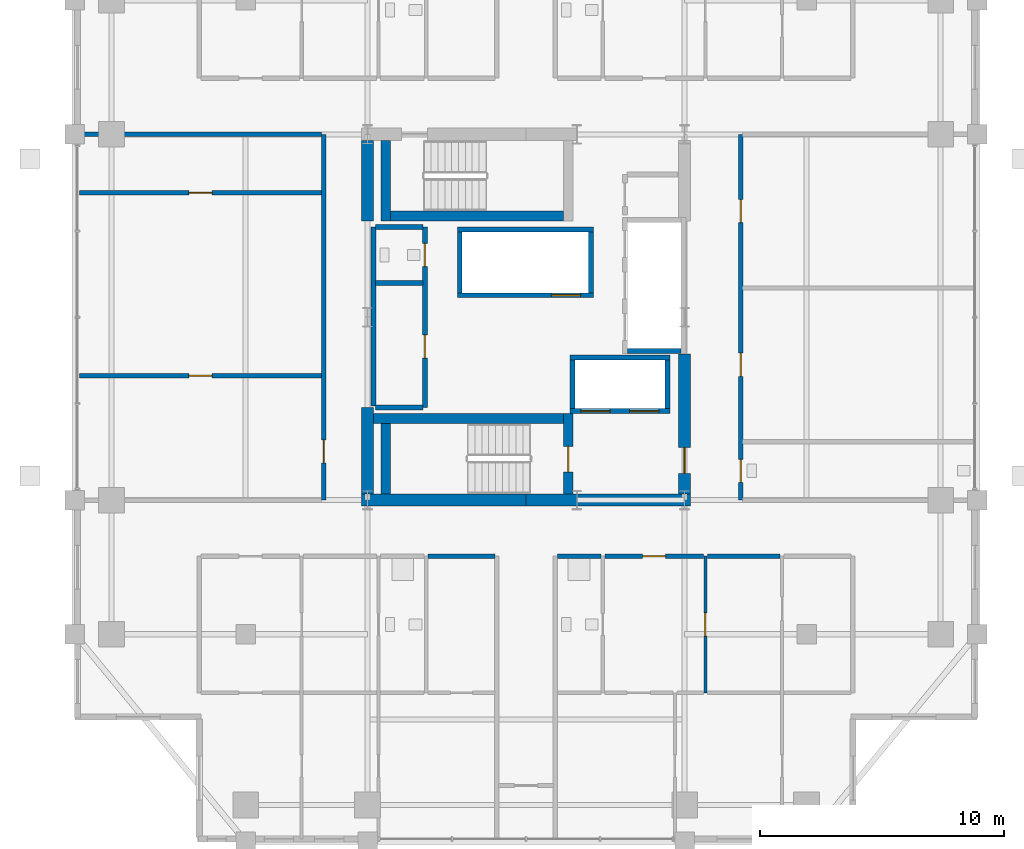
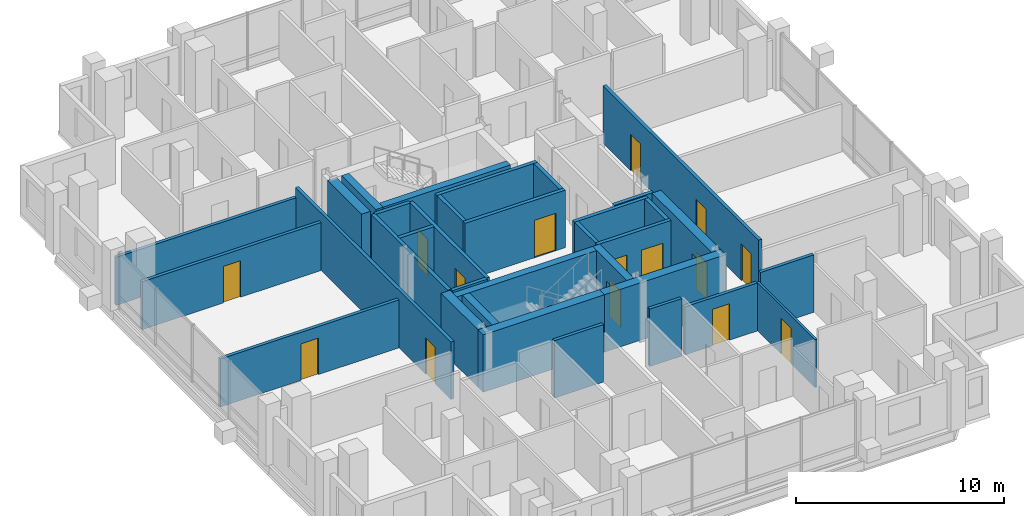
# One storey, part 19 of 24: 34 walls, 15 doors, 15 openings.
"""IFC4 building model written with IfcOpenShell, lengths in metres."""

from ifc_helpers import new_model, si_unit, direction, frame, frame_2d, origin, place, context, subcontext, project, spatial, rectangle, extrude, material, layer, layer_set, type_object, element, fill, save


model = new_model("IFC4")

# Units and contexts
model_context = context("Model", 3, precision=1e-05, world=origin(), true_north=direction((0.0, 1.0)))
body_context = subcontext(model_context, "Body", "Model", "MODEL_VIEW")
ifc_project = project(units=[si_unit("LENGTHUNIT", "METRE"), si_unit("AREAUNIT", "SQUARE_METRE"), si_unit("VOLUMEUNIT", "CUBIC_METRE"), si_unit("PLANEANGLEUNIT", "RADIAN"), si_unit("MASSUNIT", "GRAM", prefix="KILO")], contexts=[model_context])

# Site, building, storey
site_placement = place(None, origin())
site = spatial("IfcSite", under=ifc_project, at=site_placement, CompositionType="ELEMENT")
building_placement = place(site_placement, origin())
building = spatial("IfcBuilding", under=site, at=building_placement, Name="Barlavira Tower and Art Museum", CompositionType="ELEMENT")
storey_placement = place(building_placement, frame((0.0, 0.0, 201.60009765625)))
storey = spatial("IfcBuildingStorey", under=building, at=storey_placement, Name="L52", CompositionType="ELEMENT", Elevation=201.60009765625)

# Wall, opening, door
ifc_material_1 = material(Name="Gypsum acoustic stud partition", Category="gypsum")
ifc_layer_1 = layer(ifc_material_1, 0.1201171875, Name="Gypsum acoustic stud partition")
ifc_layer_set_1 = layer_set([ifc_layer_1], Name="Gypsum acoustic stud partition")
wall_type_1 = type_object("IfcWallType", Name="Apartment Internal Acoustic Partition 120", PredefinedType="PARTITIONING", material=ifc_layer_set_1)
wall_1_placement = place(storey_placement, frame((7.35009765625, -15.39990234375, 0.0), z_axis=(0.0, 0.0, 1.0), x_axis=(0.0, 1.0, 0.0)))
wall_1 = element("IfcWall", 1, at=wall_1_placement, inside=storey, type_object=wall_type_1, Name="L52 Partition Wall 21", PredefinedType="PARTITIONING", context=body_context, shape_type="SweptSolid", body=[
    extrude(rectangle(XDim=5.599853515625, YDim=0.1201171875, at=frame_2d((2.7998046875, 0.0))), origin(), (0.0, 0.0, 1.0), 2.825927734375),
])
opening_1_placement = place(wall_1_placement, frame((2.324951171875, 0.0, 0.0)))
opening_1 = element("IfcOpeningElement", 2, at=opening_1_placement, cuts=wall_1, Name="Opening D-02", PredefinedType="OPENING", context=body_context, shape_type="SweptSolid", body=[
    extrude(rectangle(XDim=0.949951171875, YDim=2.10009765625, at=frame_2d((0.47509765625, 1.050048828125))), frame((0.0, 0.070068359375, 0.0), z_axis=(0.0, -1.0, 0.0), x_axis=(1.0, 0.0, 0.0)), (0.0, 0.0, 1.0), 0.14013671875),
])
ifc_material_2 = material(Name="Engineered coastal hardwood", Category="wood")
door_type_1 = type_object("IfcDoorType", Name="Living and Salon Glazed-Leaf Door 950x2100", OperationType="NOTDEFINED", PredefinedType="DOOR", material=ifc_material_2)
door_1_placement = place(opening_1_placement, origin())
door_1 = element("IfcDoor", 3, at=door_1_placement, inside=storey, type_object=door_type_1, Name="Apartment SE1 Kitchen Door", OperationType="SINGLE_SWING_LEFT", OverallHeight=2.10009765625, OverallWidth=0.949951171875, PredefinedType="DOOR", context=body_context, shape_type="SweptSolid", body=[
    extrude(rectangle(XDim=0.949951171875, YDim=2.10009765625, at=frame_2d((0.47509765625, 1.050048828125))), frame((0.0, 0.02490234375, 0.0), z_axis=(0.0, -1.0, 0.0), x_axis=(1.0, 0.0, 0.0)), (0.0, 0.0, 1.0), 0.050048828125),
])
fill(opening_1, door_1)

# Walls
ifc_material_3 = material(Name="Concrete C60", Category="concrete")
ifc_layer_2 = layer(ifc_material_3, 0.5, Name="Concrete C60")
ifc_layer_set_2 = layer_set([ifc_layer_2], Name="Concrete C60")
wall_type_2 = type_object("IfcWallType", Name="Core Structural Shear Wall 500 Concrete C60", PredefinedType="SHEAR", material=ifc_layer_set_2)
for number, where, z_axis, x_axis, name in (
    (4, (-6.75, -7.5, 0.0), (0.0, 0.0, 1.0), (1.0, 0.0, 0.0), "L52 Core Shear Wall CS-SW"),
    (5, (0.0, -7.5, 0.0), (0.0, 0.0, 1.0), (1.0, 0.0, 0.0), "L52 Core Shear Wall CS-SE"),
):
    element("IfcWall", number, at=place(storey_placement, frame(where, z_axis=z_axis, x_axis=x_axis)), inside=storey, type_object=wall_type_2, Name=name, PredefinedType="SHEAR", context=body_context, shape_type="SweptSolid", body=[
        extrude(rectangle(XDim=6.75, YDim=0.5, at=frame_2d((3.375, 0.0))), origin(), (0.0, 0.0, 1.0), 3.3798828125),
    ])
wall_2_placement = place(storey_placement, frame((-6.5, -7.25, 0.0), z_axis=(0.0, 0.0, 1.0), x_axis=(0.0, 1.0, 0.0)))
element("IfcWall", 6, at=wall_2_placement, inside=storey, type_object=wall_type_2, Name="L52 Core Shear Wall CS-W1", PredefinedType="SHEAR", context=body_context, shape_type="SweptSolid", body=[
    extrude(rectangle(XDim=3.550048828125, YDim=0.5, at=frame_2d((1.77490234375, 0.0))), origin(), (0.0, 0.0, 1.0), 3.3798828125),
])
wall_3_placement = place(storey_placement, frame((-6.5, 3.949951171875, 0.0), z_axis=(0.0, 0.0, 1.0), x_axis=(0.0, 1.0, 0.0)))
element("IfcWall", 7, at=wall_3_placement, inside=storey, type_object=wall_type_2, Name="L52 Core Shear Wall CS-W2", PredefinedType="SHEAR", context=body_context, shape_type="SweptSolid", body=[
    extrude(rectangle(XDim=3.300048828125, YDim=0.5, at=frame_2d((1.64990234375, 0.0))), origin(), (0.0, 0.0, 1.0), 3.3798828125),
])

# Wall, opening, door
wall_4_placement = place(storey_placement, frame((6.5, -7.25, 0.0), z_axis=(0.0, 0.0, 1.0), x_axis=(0.0, 1.0, 0.0)))
wall_4 = element("IfcWall", 8, at=wall_4_placement, inside=storey, type_object=wall_type_2, Name="L52 Core Shear Wall CS-E1", PredefinedType="SHEAR", context=body_context, shape_type="SweptSolid", body=[
    extrude(rectangle(XDim=5.75, YDim=0.5, at=frame_2d((2.875, 0.0))), origin(), (0.0, 0.0, 1.0), 3.3798828125),
])
opening_2_placement = place(wall_4_placement, frame((0.85009765625, 0.0, 0.0)))
opening_2 = element("IfcOpeningElement", 9, at=opening_2_placement, cuts=wall_4, Name="Opening FD-90", PredefinedType="OPENING", context=body_context, shape_type="SweptSolid", body=[
    extrude(rectangle(XDim=1.050048828125, YDim=2.14990234375, at=frame_2d((0.52490234375, 1.074951171875))), frame((0.0, 0.260009765625, 0.0), z_axis=(0.0, -1.0, 0.0), x_axis=(1.0, 0.0, 0.0)), (0.0, 0.0, 1.0), 0.52001953125),
])
ifc_material_4 = material(Name="Brushed stainless steel", Category="steel")
door_type_2 = type_object("IfcDoorType", Name="Stair and Refuge Fire Door 1050x2150 FD90S", OperationType="NOTDEFINED", PredefinedType="DOOR", material=ifc_material_4)
door_2_placement = place(opening_2_placement, origin())
door_2 = element("IfcDoor", 10, at=door_2_placement, inside=storey, type_object=door_type_2, Name="L52 Firefighting Lobby Entry Fire Door", OperationType="SINGLE_SWING_LEFT", OverallHeight=2.14990234375, OverallWidth=1.050048828125, PredefinedType="DOOR", context=body_context, shape_type="SweptSolid", body=[
    extrude(rectangle(XDim=1.050048828125, YDim=2.14990234375, at=frame_2d((0.52490234375, 1.074951171875))), frame((0.0, 0.02490234375, 0.0), z_axis=(0.0, -1.0, 0.0), x_axis=(1.0, 0.0, 0.0)), (0.0, 0.0, 1.0), 0.050048828125),
])
fill(opening_2, door_2)

# Wall
ifc_material_5 = material(Name="Autoclaved aerated concrete masonry", Category="masonry")
ifc_layer_3 = layer(ifc_material_5, 0.199951171875, Name="Autoclaved aerated concrete masonry")
ifc_layer_set_3 = layer_set([ifc_layer_3], Name="Autoclaved aerated concrete masonry")
wall_type_3 = type_object("IfcWallType", Name="Fire Compartment and Shaft Wall 200", PredefinedType="SOLIDWALL", material=ifc_layer_set_3)
wall_5_placement = place(storey_placement, frame((4.14990234375, -1.389892578125, 0.0), z_axis=(0.0, 0.0, 1.0), x_axis=(1.0, 0.0, 0.0)))
element("IfcWall", 11, at=wall_5_placement, inside=storey, type_object=wall_type_3, Name="L52 Mid-Rise Lift South Shaft Wall", PredefinedType="SOLIDWALL", context=body_context, shape_type="SweptSolid", body=[
    extrude(rectangle(XDim=2.2001953125, YDim=0.199951171875, at=frame_2d((1.10009765625, 0.0))), origin(), (0.0, 0.0, 1.0), 3.3798828125),
])

# Wall, opening, door
wall_6_placement = place(storey_placement, frame((-2.820068359375, 0.89990234375, 0.0), z_axis=(0.0, 0.0, 1.0), x_axis=(1.0, 0.0, 0.0)))
wall_6 = element("IfcWall", 12, at=wall_6_placement, inside=storey, type_object=wall_type_3, Name="L52 High-Rise & Service Lift Front Wall", PredefinedType="SOLIDWALL", context=body_context, shape_type="SweptSolid", body=[
    extrude(rectangle(XDim=5.580078125, YDim=0.199951171875, at=frame_2d((2.7900390625, 0.0))), origin(), (0.0, 0.0, 1.0), 3.3798828125),
])
opening_3_placement = place(wall_6_placement, frame((3.860107421875, 0.0, 0.0)))
opening_3 = element("IfcOpeningElement", 13, at=opening_3_placement, cuts=wall_6, Name="Opening LD-F", PredefinedType="OPENING", context=body_context, shape_type="SweptSolid", body=[
    extrude(rectangle(XDim=1.199951171875, YDim=2.199951171875, at=frame_2d((0.60009765625, 1.10009765625))), frame((0.0, 0.10986328125, 0.0), z_axis=(0.0, -1.0, 0.0), x_axis=(1.0, 0.0, 0.0)), (0.0, 0.0, 1.0), 0.219970703125),
])
door_type_3 = type_object("IfcDoorType", Name="Firefighting and Service Lift Sliding Door 1200x2200 FD120", OperationType="NOTDEFINED", PredefinedType="DOOR", material=ifc_material_4)
door_3_placement = place(opening_3_placement, origin())
door_3 = element("IfcDoor", 14, at=door_3_placement, inside=storey, type_object=door_type_3, Name="L52 Stretcher Service Lift SL1 Sliding Door", OperationType="DOUBLE_DOOR_SLIDING", OverallHeight=2.199951171875, OverallWidth=1.199951171875, PredefinedType="DOOR", context=body_context, shape_type="SweptSolid", body=[
    extrude(rectangle(XDim=1.199951171875, YDim=2.199951171875, at=frame_2d((0.60009765625, 1.10009765625))), frame((0.0, 0.02490234375, 0.0), z_axis=(0.0, -1.0, 0.0), x_axis=(1.0, 0.0, 0.0)), (0.0, 0.0, 1.0), 0.050048828125),
])
fill(opening_3, door_3)

# Walls
wall_7_placement = place(storey_placement, frame((-2.820068359375, 3.60009765625, 0.0), z_axis=(0.0, 0.0, 1.0), x_axis=(1.0, 0.0, 0.0)))
element("IfcWall", 15, at=wall_7_placement, inside=storey, type_object=wall_type_3, Name="L52 High-Rise & Service Lift Back Wall", PredefinedType="SOLIDWALL", context=body_context, shape_type="SweptSolid", body=[
    extrude(rectangle(XDim=5.580078125, YDim=0.199951171875, at=frame_2d((2.7900390625, 0.0))), origin(), (0.0, 0.0, 1.0), 3.3798828125),
])
for number, where, z_axis, x_axis, name in (
    (16, (-2.719970703125, 1.0, 0.0), (0.0, 0.0, 1.0), (0.0, 1.0, 0.0), "L52 High-Rise & Service Lift West Wall"),
    (17, (2.659912109375, 1.0, 0.0), (0.0, 0.0, 1.0), (0.0, 1.0, 0.0), "L52 High-Rise & Service Lift East Wall"),
):
    element("IfcWall", number, at=place(storey_placement, frame(where, z_axis=z_axis, x_axis=x_axis)), inside=storey, type_object=wall_type_3, Name=name, PredefinedType="SOLIDWALL", context=body_context, shape_type="SweptSolid", body=[
        extrude(rectangle(XDim=2.5, YDim=0.199951171875, at=frame_2d((1.25, 0.0))), origin(), (0.0, 0.0, 1.0), 3.3798828125),
    ])

# Wall, openings, doors
wall_8_placement = place(storey_placement, frame((1.800048828125, -3.85009765625, 0.0), z_axis=(0.0, 0.0, 1.0), x_axis=(1.0, 0.0, 0.0)))
wall_8 = element("IfcWall", 18, at=wall_8_placement, inside=storey, type_object=wall_type_3, Name="L52 Firefighting Lift Front Shaft Wall", PredefinedType="SOLIDWALL", context=body_context, shape_type="SweptSolid", body=[
    extrude(rectangle(XDim=4.099853515625, YDim=0.199951171875, at=frame_2d((2.0498046875, 0.0))), origin(), (0.0, 0.0, 1.0), 3.3798828125),
])
opening_4_placement = place(wall_8_placement, frame((0.449951171875, 0.0, 0.0)))
opening_4 = element("IfcOpeningElement", 19, at=opening_4_placement, cuts=wall_8, Name="Opening LD-F", PredefinedType="OPENING", context=body_context, shape_type="SweptSolid", body=[
    extrude(rectangle(XDim=1.199951171875, YDim=2.199951171875, at=frame_2d((0.60009765625, 1.10009765625))), frame((0.0, 0.10986328125, 0.0), z_axis=(0.0, -1.0, 0.0), x_axis=(1.0, 0.0, 0.0)), (0.0, 0.0, 1.0), 0.219970703125),
])
opening_5_placement = place(wall_8_placement, frame((2.449951171875, 0.0, 0.0)))
opening_5 = element("IfcOpeningElement", 20, at=opening_5_placement, cuts=wall_8, Name="Opening LD-F", PredefinedType="OPENING", context=body_context, shape_type="SweptSolid", body=[
    extrude(rectangle(XDim=1.199951171875, YDim=2.199951171875, at=frame_2d((0.60009765625, 1.10009765625))), frame((0.0, 0.10986328125, 0.0), z_axis=(0.0, -1.0, 0.0), x_axis=(1.0, 0.0, 0.0)), (0.0, 0.0, 1.0), 0.219970703125),
])
door_4_placement = place(opening_4_placement, origin())
door_4 = element("IfcDoor", 21, at=door_4_placement, inside=storey, type_object=door_type_3, Name="L52 Firefighting Lift FF1 Sliding Door", OperationType="DOUBLE_DOOR_SLIDING", OverallHeight=2.199951171875, OverallWidth=1.199951171875, PredefinedType="DOOR", context=body_context, shape_type="SweptSolid", body=[
    extrude(rectangle(XDim=1.199951171875, YDim=2.199951171875, at=frame_2d((0.60009765625, 1.10009765625))), frame((0.0, 0.02490234375, 0.0), z_axis=(0.0, -1.0, 0.0), x_axis=(1.0, 0.0, 0.0)), (0.0, 0.0, 1.0), 0.050048828125),
])
fill(opening_4, door_4)
door_5_placement = place(opening_5_placement, origin())
door_5 = element("IfcDoor", 22, at=door_5_placement, inside=storey, type_object=door_type_3, Name="L52 Firefighting Lift FF2 Sliding Door", OperationType="DOUBLE_DOOR_SLIDING", OverallHeight=2.199951171875, OverallWidth=1.199951171875, PredefinedType="DOOR", context=body_context, shape_type="SweptSolid", body=[
    extrude(rectangle(XDim=1.199951171875, YDim=2.199951171875, at=frame_2d((0.60009765625, 1.10009765625))), frame((0.0, 0.02490234375, 0.0), z_axis=(0.0, -1.0, 0.0), x_axis=(1.0, 0.0, 0.0)), (0.0, 0.0, 1.0), 0.050048828125),
])
fill(opening_5, door_5)

# Walls
wall_9_placement = place(storey_placement, frame((1.800048828125, -1.64990234375, 0.0), z_axis=(0.0, 0.0, 1.0), x_axis=(1.0, 0.0, 0.0)))
element("IfcWall", 23, at=wall_9_placement, inside=storey, type_object=wall_type_3, Name="L52 Firefighting Lift Back Shaft Wall", PredefinedType="SOLIDWALL", context=body_context, shape_type="SweptSolid", body=[
    extrude(rectangle(XDim=4.099853515625, YDim=0.199951171875, at=frame_2d((2.0498046875, 0.0))), origin(), (0.0, 0.0, 1.0), 3.3798828125),
])
for number, where, z_axis, x_axis, name in (
    (24, (1.89990234375, -3.75, 0.0), (0.0, 0.0, 1.0), (0.0, 1.0, 0.0), "L52 Firefighting Lift West Shaft Wall"),
    (25, (5.800048828125, -3.75, 0.0), (0.0, 0.0, 1.0), (0.0, 1.0, 0.0), "L52 Firefighting Lift East Shaft Wall"),
):
    element("IfcWall", number, at=place(storey_placement, frame(where, z_axis=z_axis, x_axis=x_axis)), inside=storey, type_object=wall_type_3, Name=name, PredefinedType="SOLIDWALL", context=body_context, shape_type="SweptSolid", body=[
        extrude(rectangle(XDim=2.0, YDim=0.199951171875, at=frame_2d((1.0, 0.0))), origin(), (0.0, 0.0, 1.0), 3.3798828125),
    ])
wall_10_placement = place(storey_placement, frame((-6.25, -3.639892578125, 0.0), z_axis=(0.0, 0.0, 1.0), x_axis=(0.0, 1.0, 0.0)))
element("IfcWall", 26, at=wall_10_placement, inside=storey, type_object=wall_type_3, Name="L52 Partition Wall 6", PredefinedType="SOLIDWALL", context=body_context, shape_type="SweptSolid", body=[
    extrude(rectangle(XDim=7.33984375, YDim=0.199951171875, at=frame_2d((3.669921875, 0.0))), origin(), (0.0, 0.0, 1.0), 3.3798828125),
])

# Wall, openings, doors
wall_11_placement = place(storey_placement, frame((-4.14990234375, -3.699951171875, 0.0), z_axis=(0.0, 0.0, 1.0), x_axis=(0.0, 1.0, 0.0)))
wall_11 = element("IfcWall", 27, at=wall_11_placement, inside=storey, type_object=wall_type_3, Name="L52 Partition Wall 9", PredefinedType="SOLIDWALL", context=body_context, shape_type="SweptSolid", body=[
    extrude(rectangle(XDim=7.39990234375, YDim=0.199951171875, at=frame_2d((3.699951171875, 0.0))), origin(), (0.0, 0.0, 1.0), 3.3798828125),
])
opening_6_placement = place(wall_11_placement, frame((2.02490234375, 0.0, 0.0)))
opening_6 = element("IfcOpeningElement", 28, at=opening_6_placement, cuts=wall_11, Name="Opening FD-60", PredefinedType="OPENING", context=body_context, shape_type="SweptSolid", body=[
    extrude(rectangle(XDim=0.949951171875, YDim=2.14990234375, at=frame_2d((0.47509765625, 1.074951171875))), frame((0.0, 0.10986328125, 0.0), z_axis=(0.0, -1.0, 0.0), x_axis=(1.0, 0.0, 0.0)), (0.0, 0.0, 1.0), 0.219970703125),
])
opening_7_placement = place(wall_11_placement, frame((5.77490234375, 0.0, 0.0)))
opening_7 = element("IfcOpeningElement", 29, at=opening_7_placement, cuts=wall_11, Name="Opening FD-60", PredefinedType="OPENING", context=body_context, shape_type="SweptSolid", body=[
    extrude(rectangle(XDim=0.949951171875, YDim=2.14990234375, at=frame_2d((0.47509765625, 1.074951171875))), frame((0.0, 0.10986328125, 0.0), z_axis=(0.0, -1.0, 0.0), x_axis=(1.0, 0.0, 0.0)), (0.0, 0.0, 1.0), 0.219970703125),
])
door_type_4 = type_object("IfcDoorType", Name="Apartment Entrance and Riser Fire Door 950x2150 FD60S", OperationType="NOTDEFINED", PredefinedType="DOOR", material=ifc_material_4)
door_6_placement = place(opening_6_placement, origin())
door_6 = element("IfcDoor", 30, at=door_6_placement, inside=storey, type_object=door_type_4, Name="Reclaimed Core Resident Parcel Room Door", OperationType="SINGLE_SWING_RIGHT", OverallHeight=2.14990234375, OverallWidth=0.949951171875, PredefinedType="DOOR", context=body_context, shape_type="SweptSolid", body=[
    extrude(rectangle(XDim=0.949951171875, YDim=2.14990234375, at=frame_2d((0.47509765625, 1.074951171875))), frame((0.0, 0.02490234375, 0.0), z_axis=(0.0, -1.0, 0.0), x_axis=(1.0, 0.0, 0.0)), (0.0, 0.0, 1.0), 0.050048828125),
])
fill(opening_6, door_6)
door_7_placement = place(opening_7_placement, origin())
door_7 = element("IfcDoor", 31, at=door_7_placement, inside=storey, type_object=door_type_4, Name="Reclaimed Core Accessible WC Door", OperationType="SINGLE_SWING_LEFT", OverallHeight=2.14990234375, OverallWidth=0.949951171875, PredefinedType="DOOR", context=body_context, shape_type="SweptSolid", body=[
    extrude(rectangle(XDim=0.949951171875, YDim=2.14990234375, at=frame_2d((0.47509765625, 1.074951171875))), frame((0.0, 0.02490234375, 0.0), z_axis=(0.0, -1.0, 0.0), x_axis=(1.0, 0.0, 0.0)), (0.0, 0.0, 1.0), 0.050048828125),
])
fill(opening_7, door_7)

# Walls
for number, where, z_axis, x_axis, name in (
    (32, (-6.169921875, -3.699951171875, 0.0), (0.0, 0.0, 1.0), (1.0, 0.0, 0.0), "L52 Partition Wall 49"),
    (33, (-6.169921875, 1.39990234375, 0.0), (0.0, 0.0, 1.0), (1.0, 0.0, 0.0), "L52 Partition Wall 52"),
    (34, (-6.169921875, 3.699951171875, 0.0), (0.0, 0.0, 1.0), (1.0, 0.0, 0.0), "L52 Partition Wall 53"),
):
    element("IfcWall", number, at=place(storey_placement, frame(where, z_axis=z_axis, x_axis=x_axis)), inside=storey, type_object=wall_type_3, Name=name, PredefinedType="SOLIDWALL", context=body_context, shape_type="SweptSolid", body=[
        extrude(rectangle(XDim=1.93994140625, YDim=0.199951171875, at=frame_2d((0.969970703125, 0.0))), origin(), (0.0, 0.0, 1.0), 3.3798828125),
    ])

# Wall, opening, door
ifc_layer_4 = layer(ifc_material_1, 0.179931640625, Name="Gypsum acoustic stud partition")
ifc_layer_set_4 = layer_set([ifc_layer_4], Name="Gypsum acoustic stud partition")
wall_type_4 = type_object("IfcWallType", Name="Inter-Tenancy Party Partition Wall 180", PredefinedType="PARTITIONING", material=ifc_layer_set_4)
wall_12_placement = place(storey_placement, frame((-8.300048828125, -7.5, 0.0), z_axis=(0.0, 0.0, 1.0), x_axis=(0.0, 1.0, 0.0)))
wall_12 = element("IfcWall", 35, at=wall_12_placement, inside=storey, type_object=wall_type_4, Name="L52 Partition Wall 5", PredefinedType="PARTITIONING", context=body_context, shape_type="SweptSolid", body=[
    extrude(rectangle(XDim=15.0, YDim=0.179931640625, at=frame_2d((7.5, 0.0))), origin(), (0.0, 0.0, 1.0), 3.3798828125),
])
opening_8_placement = place(wall_12_placement, frame((1.52490234375, 0.0, 0.0)))
opening_8 = element("IfcOpeningElement", 36, at=opening_8_placement, cuts=wall_12, Name="Opening FD-60", PredefinedType="OPENING", context=body_context, shape_type="SweptSolid", body=[
    extrude(rectangle(XDim=0.949951171875, YDim=2.14990234375, at=frame_2d((0.47509765625, 1.074951171875))), frame((0.0, 0.10009765625, 0.0), z_axis=(0.0, -1.0, 0.0), x_axis=(1.0, 0.0, 0.0)), (0.0, 0.0, 1.0), 0.199951171875),
])
door_8_placement = place(opening_8_placement, origin())
door_8 = element("IfcDoor", 37, at=door_8_placement, inside=storey, type_object=door_type_4, Name="Resident Sky Coworking Studio Door", OperationType="SINGLE_SWING_LEFT", OverallHeight=2.14990234375, OverallWidth=0.949951171875, PredefinedType="DOOR", context=body_context, shape_type="SweptSolid", body=[
    extrude(rectangle(XDim=0.949951171875, YDim=2.14990234375, at=frame_2d((0.47509765625, 1.074951171875))), frame((0.0, 0.02490234375, 0.0), z_axis=(0.0, -1.0, 0.0), x_axis=(1.0, 0.0, 0.0)), (0.0, 0.0, 1.0), 0.050048828125),
])
fill(opening_8, door_8)

# Wall, openings, doors
wall_13_placement = place(storey_placement, frame((8.800048828125, -7.5, 0.0), z_axis=(0.0, 0.0, 1.0), x_axis=(0.0, 1.0, 0.0)))
wall_13 = element("IfcWall", 38, at=wall_13_placement, inside=storey, type_object=wall_type_4, Name="L52 Partition Wall 23", PredefinedType="PARTITIONING", context=body_context, shape_type="SweptSolid", body=[
    extrude(rectangle(XDim=15.0, YDim=0.179931640625, at=frame_2d((7.5, 0.0))), origin(), (0.0, 0.0, 1.0), 3.3798828125),
])
opening_9_placement = place(wall_13_placement, frame((0.72509765625, 0.0, 0.0)))
opening_9 = element("IfcOpeningElement", 39, at=opening_9_placement, cuts=wall_13, Name="Opening FD-60", PredefinedType="OPENING", context=body_context, shape_type="SweptSolid", body=[
    extrude(rectangle(XDim=0.949951171875, YDim=2.14990234375, at=frame_2d((0.47509765625, 1.074951171875))), frame((0.0, 0.10009765625, 0.0), z_axis=(0.0, -1.0, 0.0), x_axis=(1.0, 0.0, 0.0)), (0.0, 0.0, 1.0), 0.199951171875),
])
opening_10_placement = place(wall_13_placement, frame((5.074951171875, 0.0, 0.0)))
opening_10 = element("IfcOpeningElement", 40, at=opening_10_placement, cuts=wall_13, Name="Opening FD-60", PredefinedType="OPENING", context=body_context, shape_type="SweptSolid", body=[
    extrude(rectangle(XDim=0.949951171875, YDim=2.14990234375, at=frame_2d((0.47509765625, 1.074951171875))), frame((0.0, 0.10009765625, 0.0), z_axis=(0.0, -1.0, 0.0), x_axis=(1.0, 0.0, 0.0)), (0.0, 0.0, 1.0), 0.199951171875),
])
opening_11_placement = place(wall_13_placement, frame((11.375, 0.0, 0.0)))
opening_11 = element("IfcOpeningElement", 41, at=opening_11_placement, cuts=wall_13, Name="Opening FD-60", PredefinedType="OPENING", context=body_context, shape_type="SweptSolid", body=[
    extrude(rectangle(XDim=0.949951171875, YDim=2.14990234375, at=frame_2d((0.47509765625, 1.074951171875))), frame((0.0, 0.10009765625, 0.0), z_axis=(0.0, -1.0, 0.0), x_axis=(1.0, 0.0, 0.0)), (0.0, 0.0, 1.0), 0.199951171875),
])
door_9_placement = place(opening_9_placement, origin())
door_9 = element("IfcDoor", 42, at=door_9_placement, inside=storey, type_object=door_type_4, Name="Wellness Changing and Accessible Shower WC Door", OperationType="SINGLE_SWING_RIGHT", OverallHeight=2.14990234375, OverallWidth=0.949951171875, PredefinedType="DOOR", context=body_context, shape_type="SweptSolid", body=[
    extrude(rectangle(XDim=0.949951171875, YDim=2.14990234375, at=frame_2d((0.47509765625, 1.074951171875))), frame((0.0, 0.02490234375, 0.0), z_axis=(0.0, -1.0, 0.0), x_axis=(1.0, 0.0, 0.0)), (0.0, 0.0, 1.0), 0.050048828125),
])
fill(opening_9, door_9)
door_10_placement = place(opening_10_placement, origin())
door_10 = element("IfcDoor", 43, at=door_10_placement, inside=storey, type_object=door_type_4, Name="Resident Ocean-View Fitness Studio Door", OperationType="SINGLE_SWING_LEFT", OverallHeight=2.14990234375, OverallWidth=0.949951171875, PredefinedType="DOOR", context=body_context, shape_type="SweptSolid", body=[
    extrude(rectangle(XDim=0.949951171875, YDim=2.14990234375, at=frame_2d((0.47509765625, 1.074951171875))), frame((0.0, 0.02490234375, 0.0), z_axis=(0.0, -1.0, 0.0), x_axis=(1.0, 0.0, 0.0)), (0.0, 0.0, 1.0), 0.050048828125),
])
fill(opening_10, door_10)
door_11_placement = place(opening_11_placement, origin())
door_11 = element("IfcDoor", 44, at=door_11_placement, inside=storey, type_object=door_type_4, Name="Coastal Hydrotherapy and Yoga Lounge Door", OperationType="SINGLE_SWING_RIGHT", OverallHeight=2.14990234375, OverallWidth=0.949951171875, PredefinedType="DOOR", context=body_context, shape_type="SweptSolid", body=[
    extrude(rectangle(XDim=0.949951171875, YDim=2.14990234375, at=frame_2d((0.47509765625, 1.074951171875))), frame((0.0, 0.02490234375, 0.0), z_axis=(0.0, -1.0, 0.0), x_axis=(1.0, 0.0, 0.0)), (0.0, 0.0, 1.0), 0.050048828125),
])
fill(opening_11, door_11)

# Walls
wall_14_placement = place(storey_placement, frame((-4.02001953125, -9.800048828125, 0.0), z_axis=(0.0, 0.0, 1.0), x_axis=(1.0, 0.0, 0.0)))
element("IfcWall", 45, at=wall_14_placement, inside=storey, type_object=wall_type_4, Name="L52 Partition Wall 41", PredefinedType="PARTITIONING", context=body_context, shape_type="SweptSolid", body=[
    extrude(rectangle(XDim=2.739990234375, YDim=0.179931640625, at=frame_2d((1.3701171875, 0.0))), origin(), (0.0, 0.0, 1.0), 3.3798828125),
])
wall_15_placement = place(storey_placement, frame((1.280029296875, -9.800048828125, 0.0), z_axis=(0.0, 0.0, 1.0), x_axis=(1.0, 0.0, 0.0)))
element("IfcWall", 46, at=wall_15_placement, inside=storey, type_object=wall_type_4, Name="L52 Partition Wall 42", PredefinedType="PARTITIONING", context=body_context, shape_type="SweptSolid", body=[
    extrude(rectangle(XDim=1.7900390625, YDim=0.179931640625, at=frame_2d((0.89501953125, 0.0))), origin(), (0.0, 0.0, 1.0), 3.3798828125),
])

# Wall, opening, door
wall_16_placement = place(storey_placement, frame((3.22998046875, -9.800048828125, 0.0), z_axis=(0.0, 0.0, 1.0), x_axis=(1.0, 0.0, 0.0)))
wall_16 = element("IfcWall", 47, at=wall_16_placement, inside=storey, type_object=wall_type_4, Name="L52 Partition Wall 43", PredefinedType="PARTITIONING", context=body_context, shape_type="SweptSolid", body=[
    extrude(rectangle(XDim=4.0400390625, YDim=0.179931640625, at=frame_2d((2.02001953125, 0.0))), origin(), (0.0, 0.0, 1.0), 2.825927734375),
])
opening_12_placement = place(wall_16_placement, frame((1.544921875, 0.0, 0.0)))
opening_12 = element("IfcOpeningElement", 48, at=opening_12_placement, cuts=wall_16, Name="Opening FD-60", PredefinedType="OPENING", context=body_context, shape_type="SweptSolid", body=[
    extrude(rectangle(XDim=0.949951171875, YDim=2.14990234375, at=frame_2d((0.47509765625, 1.074951171875))), frame((0.0, 0.10009765625, 0.0), z_axis=(0.0, -1.0, 0.0), x_axis=(1.0, 0.0, 0.0)), (0.0, 0.0, 1.0), 0.199951171875),
])
door_12_placement = place(opening_12_placement, origin())
door_12 = element("IfcDoor", 49, at=door_12_placement, inside=storey, type_object=door_type_4, Name="Apartment Entrance Hall SE1 Door", OperationType="SINGLE_SWING_RIGHT", OverallHeight=2.14990234375, OverallWidth=0.949951171875, PredefinedType="DOOR", context=body_context, shape_type="SweptSolid", body=[
    extrude(rectangle(XDim=0.949951171875, YDim=2.14990234375, at=frame_2d((0.47509765625, 1.074951171875))), frame((0.0, 0.02490234375, 0.0), z_axis=(0.0, -1.0, 0.0), x_axis=(1.0, 0.0, 0.0)), (0.0, 0.0, 1.0), 0.050048828125),
])
fill(opening_12, door_12)

# Wall
wall_17_placement = place(storey_placement, frame((7.429931640625, -9.800048828125, 0.0), z_axis=(0.0, 0.0, 1.0), x_axis=(1.0, 0.0, 0.0)))
element("IfcWall", 50, at=wall_17_placement, inside=storey, type_object=wall_type_4, Name="L52 Partition Wall 44", PredefinedType="PARTITIONING", context=body_context, shape_type="SweptSolid", body=[
    extrude(rectangle(XDim=2.989990234375, YDim=0.179931640625, at=frame_2d((1.4951171875, 0.0))), origin(), (0.0, 0.0, 1.0), 3.3798828125),
])

# Wall, opening, door
wall_18_placement = place(storey_placement, frame((-18.320068359375, -2.39990234375, 0.0), z_axis=(0.0, 0.0, 1.0), x_axis=(1.0, 0.0, 0.0)))
wall_18 = element("IfcWall", 51, at=wall_18_placement, inside=storey, type_object=wall_type_4, Name="L52 Partition Wall 50", PredefinedType="PARTITIONING", context=body_context, shape_type="SweptSolid", body=[
    extrude(rectangle(XDim=9.940185546875, YDim=0.179931640625, at=frame_2d((4.97021484375, 0.0))), origin(), (0.0, 0.0, 1.0), 2.825927734375),
])
opening_13_placement = place(wall_18_placement, frame((4.4951171875, 0.0, 0.0)))
opening_13 = element("IfcOpeningElement", 52, at=opening_13_placement, cuts=wall_18, Name="Opening FD-60", PredefinedType="OPENING", context=body_context, shape_type="SweptSolid", body=[
    extrude(rectangle(XDim=0.949951171875, YDim=2.14990234375, at=frame_2d((0.47509765625, 1.074951171875))), frame((0.0, 0.10009765625, 0.0), z_axis=(0.0, -1.0, 0.0), x_axis=(1.0, 0.0, 0.0)), (0.0, 0.0, 1.0), 0.199951171875),
])
door_13_placement = place(opening_13_placement, origin())
door_13 = element("IfcDoor", 53, at=door_13_placement, inside=storey, type_object=door_type_4, Name="Atlantic Horizon Boardroom Door", OperationType="SINGLE_SWING_RIGHT", OverallHeight=2.14990234375, OverallWidth=0.949951171875, PredefinedType="DOOR", context=body_context, shape_type="SweptSolid", body=[
    extrude(rectangle(XDim=0.949951171875, YDim=2.14990234375, at=frame_2d((0.47509765625, 1.074951171875))), frame((0.0, 0.02490234375, 0.0), z_axis=(0.0, -1.0, 0.0), x_axis=(1.0, 0.0, 0.0)), (0.0, 0.0, 1.0), 0.050048828125),
])
fill(opening_13, door_13)

wall_19_placement = place(storey_placement, frame((-18.320068359375, 5.10009765625, 0.0), z_axis=(0.0, 0.0, 1.0), x_axis=(1.0, 0.0, 0.0)))
wall_19 = element("IfcWall", 54, at=wall_19_placement, inside=storey, type_object=wall_type_4, Name="L52 Partition Wall 54", PredefinedType="PARTITIONING", context=body_context, shape_type="SweptSolid", body=[
    extrude(rectangle(XDim=9.940185546875, YDim=0.179931640625, at=frame_2d((4.97021484375, 0.0))), origin(), (0.0, 0.0, 1.0), 2.825927734375),
])
opening_14_placement = place(wall_19_placement, frame((4.4951171875, 0.0, 0.0)))
opening_14 = element("IfcOpeningElement", 55, at=opening_14_placement, cuts=wall_19, Name="Opening FD-60", PredefinedType="OPENING", context=body_context, shape_type="SweptSolid", body=[
    extrude(rectangle(XDim=0.949951171875, YDim=2.14990234375, at=frame_2d((0.47509765625, 1.074951171875))), frame((0.0, 0.10009765625, 0.0), z_axis=(0.0, -1.0, 0.0), x_axis=(1.0, 0.0, 0.0)), (0.0, 0.0, 1.0), 0.199951171875),
])
door_14_placement = place(opening_14_placement, origin())
door_14 = element("IfcDoor", 56, at=door_14_placement, inside=storey, type_object=door_type_4, Name="Shared Coworking Espresso Pantry Door", OperationType="SINGLE_SWING_LEFT", OverallHeight=2.14990234375, OverallWidth=0.949951171875, PredefinedType="DOOR", context=body_context, shape_type="SweptSolid", body=[
    extrude(rectangle(XDim=0.949951171875, YDim=2.14990234375, at=frame_2d((0.47509765625, 1.074951171875))), frame((0.0, 0.02490234375, 0.0), z_axis=(0.0, -1.0, 0.0), x_axis=(1.0, 0.0, 0.0)), (0.0, 0.0, 1.0), 0.050048828125),
])
fill(opening_14, door_14)

# Walls
wall_20_placement = place(storey_placement, frame((-18.39990234375, 7.5, 0.0), z_axis=(0.0, 0.0, 1.0), x_axis=(1.0, 0.0, 0.0)))
element("IfcWall", 57, at=wall_20_placement, inside=storey, type_object=wall_type_4, Name="L52 Partition Wall 56", PredefinedType="PARTITIONING", context=body_context, shape_type="SweptSolid", body=[
    extrude(rectangle(XDim=10.02001953125, YDim=0.179931640625, at=frame_2d((5.010009765625, 0.0))), origin(), (0.0, 0.0, 1.0), 2.825927734375),
])
ifc_material_6 = material(Name="Concrete C55", Category="concrete")
ifc_layer_5 = layer(ifc_material_6, 0.39990234375, Name="Concrete C55")
ifc_layer_set_5 = layer_set([ifc_layer_5], Name="Concrete C55")
wall_type_5 = type_object("IfcWallType", Name="Upper Core Shear Wall 400 Concrete C55", PredefinedType="SHEAR", material=ifc_layer_set_5)
wall_21_placement = place(storey_placement, frame((-5.75, -7.25, 0.0), z_axis=(0.0, 0.0, 1.0), x_axis=(0.0, 1.0, 0.0)))
element("IfcWall", 58, at=wall_21_placement, inside=storey, type_object=wall_type_5, Name="L52 ST-T1 West Half-Landing Wall", PredefinedType="SHEAR", context=body_context, shape_type="SweptSolid", body=[
    extrude(rectangle(XDim=2.89990234375, YDim=0.39990234375, at=frame_2d((1.449951171875, 0.0))), origin(), (0.0, 0.0, 1.0), 3.3798828125),
])
wall_22_placement = place(storey_placement, frame((-6.25, -4.14990234375, 0.0), z_axis=(0.0, 0.0, 1.0), x_axis=(1.0, 0.0, 0.0)))
element("IfcWall", 59, at=wall_22_placement, inside=storey, type_object=wall_type_5, Name="L52 ST-T1 North Shaft Wall", PredefinedType="SHEAR", context=body_context, shape_type="SweptSolid", body=[
    extrude(rectangle(XDim=7.780029296875, YDim=0.39990234375, at=frame_2d((3.89013671875, 0.0))), origin(), (0.0, 0.0, 1.0), 3.3798828125),
])

# Wall, opening, door
wall_23_placement = place(storey_placement, frame((1.72998046875, -7.25, 0.0), z_axis=(0.0, 0.0, 1.0), x_axis=(0.0, 1.0, 0.0)))
wall_23 = element("IfcWall", 60, at=wall_23_placement, inside=storey, type_object=wall_type_5, Name="L52 ST-T1 East Landing Wall", PredefinedType="SHEAR", context=body_context, shape_type="SweptSolid", body=[
    extrude(rectangle(XDim=3.300048828125, YDim=0.39990234375, at=frame_2d((1.64990234375, 0.0))), origin(), (0.0, 0.0, 1.0), 3.3798828125),
])
opening_15_placement = place(wall_23_placement, frame((0.89990234375, 0.0, 0.0)))
opening_15 = element("IfcOpeningElement", 61, at=opening_15_placement, cuts=wall_23, Name="Opening FD-90", PredefinedType="OPENING", context=body_context, shape_type="SweptSolid", body=[
    extrude(rectangle(XDim=1.050048828125, YDim=2.14990234375, at=frame_2d((0.52490234375, 1.074951171875))), frame((0.0, 0.2099609375, 0.0), z_axis=(0.0, -1.0, 0.0), x_axis=(1.0, 0.0, 0.0)), (0.0, 0.0, 1.0), 0.419921875),
])
door_15_placement = place(opening_15_placement, origin())
door_15 = element("IfcDoor", 62, at=door_15_placement, inside=storey, type_object=door_type_2, Name="L52 Stair ST-T1 Fire Door", OperationType="SINGLE_SWING_RIGHT", OverallHeight=2.14990234375, OverallWidth=1.050048828125, PredefinedType="DOOR", context=body_context, shape_type="SweptSolid", body=[
    extrude(rectangle(XDim=1.050048828125, YDim=2.14990234375, at=frame_2d((0.52490234375, 1.074951171875))), frame((0.0, 0.02490234375, 0.0), z_axis=(0.0, -1.0, 0.0), x_axis=(1.0, 0.0, 0.0)), (0.0, 0.0, 1.0), 0.050048828125),
])
fill(opening_15, door_15)

# Walls
wall_24_placement = place(storey_placement, frame((-5.550048828125, 4.14990234375, 0.0), z_axis=(0.0, 0.0, 1.0), x_axis=(1.0, 0.0, 0.0)))
element("IfcWall", 63, at=wall_24_placement, inside=storey, type_object=wall_type_5, Name="L52 ST-T2 South Shaft Wall", PredefinedType="SHEAR", context=body_context, shape_type="SweptSolid", body=[
    extrude(rectangle(XDim=7.080078125, YDim=0.39990234375, at=frame_2d((3.5400390625, 0.0))), origin(), (0.0, 0.0, 1.0), 3.3798828125),
])
wall_25_placement = place(storey_placement, frame((-5.75, 3.949951171875, 0.0), z_axis=(0.0, 0.0, 1.0), x_axis=(0.0, 1.0, 0.0)))
element("IfcWall", 64, at=wall_25_placement, inside=storey, type_object=wall_type_5, Name="L52 ST-T2 West Shaft Wall", PredefinedType="SHEAR", context=body_context, shape_type="SweptSolid", body=[
    extrude(rectangle(XDim=3.300048828125, YDim=0.39990234375, at=frame_2d((1.64990234375, 0.0))), origin(), (0.0, 0.0, 1.0), 3.3798828125),
])

save(model, "model.ifc")
